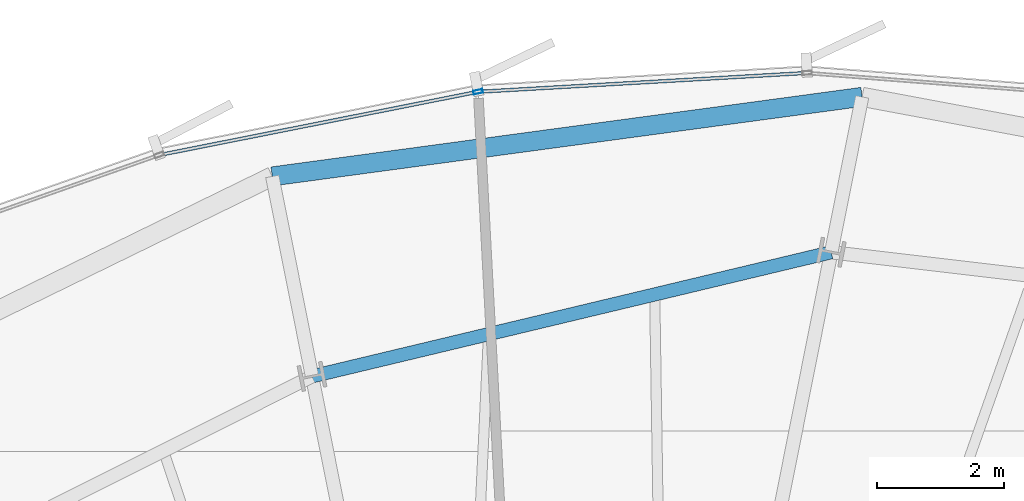
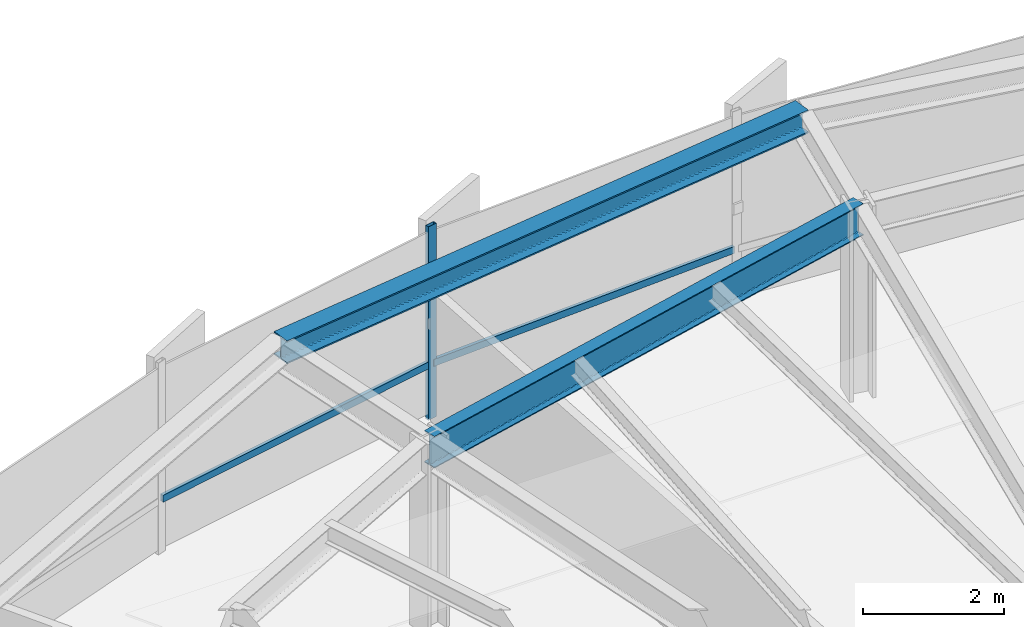
# One storey, part 21 of 35: 3 members, 2 beams, 1 element without a shape of its own.
"""IFC4 building model written with IfcOpenShell, lengths in metres."""

from ifc_helpers import new_model, si_unit, direction, frame, origin, origin_2d, place, context, subcontext, project, spatial, hollow_rectangle, i_section, extrude, source, transform, mapped, material, layer, layer_set, material_profile, profile_set, type_object, element, aggregate, save


model = new_model("IFC4")

# Units and contexts
model_context = context("Model", 3, precision=1e-05, world=origin(), true_north=direction((0.0, 1.0)))
body_context = subcontext(model_context, "Body", "Model", "MODEL_VIEW")
ifc_project = project(units=[si_unit("LENGTHUNIT", "METRE"), si_unit("AREAUNIT", "SQUARE_METRE"), si_unit("VOLUMEUNIT", "CUBIC_METRE"), si_unit("PLANEANGLEUNIT", "RADIAN"), si_unit("MASSUNIT", "GRAM", prefix="KILO"), si_unit("THERMODYNAMICTEMPERATUREUNIT", "KELVIN")], contexts=[model_context])

# Site, building, storey
site_placement = place(None, origin())
site = spatial("IfcSite", under=ifc_project, at=site_placement, CompositionType="ELEMENT")
building_placement = place(site_placement, origin())
building = spatial("IfcBuilding", under=site, at=building_placement, Name="Kethvar Cultural Tower", CompositionType="ELEMENT")
storey_placement = place(building_placement, frame((0.0, 0.0, 96.39990234375)))
storey = spatial("IfcBuildingStorey", under=building, at=storey_placement, Name="L23", CompositionType="ELEMENT", Elevation=96.39990234375)

# Beams
ifc_material_1 = material(Name="Steel S355J2", Category="steel")
ifc_material_profile_1 = material_profile(ifc_material_1, i_section(OverallWidth=0.2099609375, OverallDepth=0.550048828125, WebThickness=0.010986328125, FlangeThickness=0.01708984375, FilletRadius=0.02392578125, at=origin_2d()), Name="Steel S355J2 — IPE550")
ifc_profile_set_1 = profile_set([ifc_material_profile_1], Name="Steel S355J2 — IPE550")
beam_type_1 = type_object("IfcBeamType", Name="BM-IPE550", PredefinedType="BEAM", material=ifc_profile_set_1)
shared_shape_1 = source(origin(), body_context, "Body", "SweptSolid", [
    extrude(i_section(OverallWidth=0.2099609375, OverallDepth=0.550048828125, WebThickness=0.010986328125, FlangeThickness=0.01708984375, FilletRadius=0.02392578125, at=origin_2d()), origin(), (0.0, 0.0, 1.0), 8.379150390625),
])
beam_1_placement = place(storey_placement, frame((51.068603515625, 49.25927734375, 3.072998046875), z_axis=(-0.972601380857, -0.232479147355, 0.0), x_axis=(0.232479147355, -0.972601380857, 0.0)))
element("IfcBeam", 1, at=beam_1_placement, inside=storey, type_object=beam_type_1, Name="L23 Column Ring Tie Beam CR-04", PredefinedType="BEAM", context=body_context, shape_type="MappedRepresentation", body=[
    mapped(shared_shape_1, transform((0.0, 0.0, 0.0), scale=1.0)),
])
ifc_material_profile_2 = material_profile(ifc_material_1, i_section(OverallWidth=0.300048828125, OverallDepth=0.39990234375, WebThickness=0.013427734375, FlangeThickness=0.02392578125, FilletRadius=0.027099609375, at=origin_2d()), Name="Steel S355J2 — HEB400")
ifc_profile_set_2 = profile_set([ifc_material_profile_2], Name="Steel S355J2 — HEB400")
beam_type_2 = type_object("IfcBeamType", Name="BM-SP400", PredefinedType="SPANDREL", material=ifc_profile_set_2)
shared_shape_2 = source(origin(), body_context, "Body", "SweptSolid", [
    extrude(i_section(OverallWidth=0.300048828125, OverallDepth=0.39990234375, WebThickness=0.013427734375, FlangeThickness=0.02392578125, FilletRadius=0.027099609375, at=origin_2d()), origin(), (0.0, 0.0, 1.0), 9.3427734375),
])
beam_2_placement = place(storey_placement, frame((51.5537109375, 51.6982421875, 3.148193359375), z_axis=(-0.991030537441, -0.133635601015, 0.0), x_axis=(0.133635601015, -0.991030537441, 0.0)))
element("IfcBeam", 2, at=beam_2_placement, inside=storey, type_object=beam_type_2, Name="L23 Perimeter Spandrel Beam SP-04", PredefinedType="SPANDREL", context=body_context, shape_type="MappedRepresentation", body=[
    mapped(shared_shape_2, transform((0.0, 0.0, 0.0), scale=1.0)),
])

# Curtain wall, members
ifc_material_2 = material(Name="Aluminium 6063-T6", Category="aluminium")
ifc_layer = layer(ifc_material_2, 0.179931640625, Name="Aluminium 6063-T6", Category="aluminium")
ifc_layer_set = layer_set([ifc_layer], Name="Aluminium 6063-T6 (180 mm)")
curtain_wall_type = type_object("IfcCurtainWallType", Name="CW-SYS-03-Z2", PredefinedType="NOTDEFINED", material=ifc_layer_set)
curtain_wall_placement = place(storey_placement, origin())
curtain_wall = element("IfcCurtainWall", 3, at=curtain_wall_placement, inside=storey, type_object=curtain_wall_type, Name="L23 Curtain Wall Run 02", PredefinedType="NOTDEFINED")
ifc_material_profile_3 = material_profile(ifc_material_2, hollow_rectangle(XDim=0.06005859375, YDim=0.14990234375, WallThickness=0.0048828125, at=origin_2d()), Name="Aluminium 6063-T6 — RHS150x60x5")
ifc_profile_set_3 = profile_set([ifc_material_profile_3], Name="Aluminium 6063-T6 — RHS150x60x5")
member_type_1 = type_object("IfcMemberType", Name="CW-SYS-03-Z2-MUL", PredefinedType="MULLION", material=ifc_profile_set_3)
shared_shape_3 = source(origin(), body_context, "Body", "SweptSolid", [
    extrude(hollow_rectangle(XDim=0.06005859375, YDim=0.14990234375, WallThickness=0.0048828125, at=origin_2d()), origin(), (0.0, 0.0, 1.0), 3.35009765625),
])
member_1_placement = place(storey_placement, frame((45.5263671875, 51.778564453125, 0.0), z_axis=(0.0, 0.0, 1.0), x_axis=(0.194679474535, -0.9808669136, 0.0)))
member_1 = element("IfcMember", 4, at=member_1_placement, type_object=member_type_1, Name="CW-L23-R02 Mullion 3", PredefinedType="MULLION", context=body_context, shape_type="MappedRepresentation", body=[
    mapped(shared_shape_3, transform((0.0, 0.0, 0.0), scale=1.0)),
])
ifc_material_profile_4 = material_profile(ifc_material_2, hollow_rectangle(XDim=0.054931640625, YDim=0.1201171875, WallThickness=0.00390625, at=origin_2d()), Name="Aluminium 6063-T6 — RHS120x55x4")
ifc_profile_set_4 = profile_set([ifc_material_profile_4], Name="Aluminium 6063-T6 — RHS120x55x4")
member_type_2 = type_object("IfcMemberType", Name="CW-SYS-03-Z2-TRN", PredefinedType="USERDEFINED", material=ifc_profile_set_4)
shared_shape_4 = source(origin(), body_context, "Body", "SweptSolid", [
    extrude(hollow_rectangle(XDim=0.054931640625, YDim=0.1201171875, WallThickness=0.00390625, at=origin_2d()), origin(), (0.0, 0.0, 1.0), 5.101318359375),
])
member_2_placement = place(storey_placement, frame((50.646728515625, 52.071044921875, 0.9501953125), z_axis=(-0.998360569157, -0.057237871661, 0.0), x_axis=(0.057237871661, -0.998360569157, 0.0)))
member_2 = element("IfcMember", 5, at=member_2_placement, type_object=member_type_2, Name="CW-L23-R02 Transom 2", ObjectType="TRANSOM", PredefinedType="USERDEFINED", context=body_context, shape_type="MappedRepresentation", body=[
    mapped(shared_shape_4, transform((0.0, 0.0, 0.0), scale=1.0)),
])
shared_shape_5 = source(origin(), body_context, "Body", "SweptSolid", [
    extrude(hollow_rectangle(XDim=0.054931640625, YDim=0.1201171875, WallThickness=0.00390625, at=origin_2d()), origin(), (0.0, 0.0, 1.0), 5.033447265625),
])
member_3_placement = place(storey_placement, frame((45.48388671875, 51.770263671875, 0.9501953125), z_axis=(-0.98086321694, -0.194698098744, 0.0), x_axis=(0.194698098744, -0.98086321694, 0.0)))
member_3 = element("IfcMember", 6, at=member_3_placement, type_object=member_type_2, Name="CW-L23-R02 Transom 3", ObjectType="TRANSOM", PredefinedType="USERDEFINED", context=body_context, shape_type="MappedRepresentation", body=[
    mapped(shared_shape_5, transform((0.0, 0.0, 0.0), scale=1.0)),
])
aggregate(curtain_wall, [member_1, member_2, member_3])

save(model, "model.ifc")
